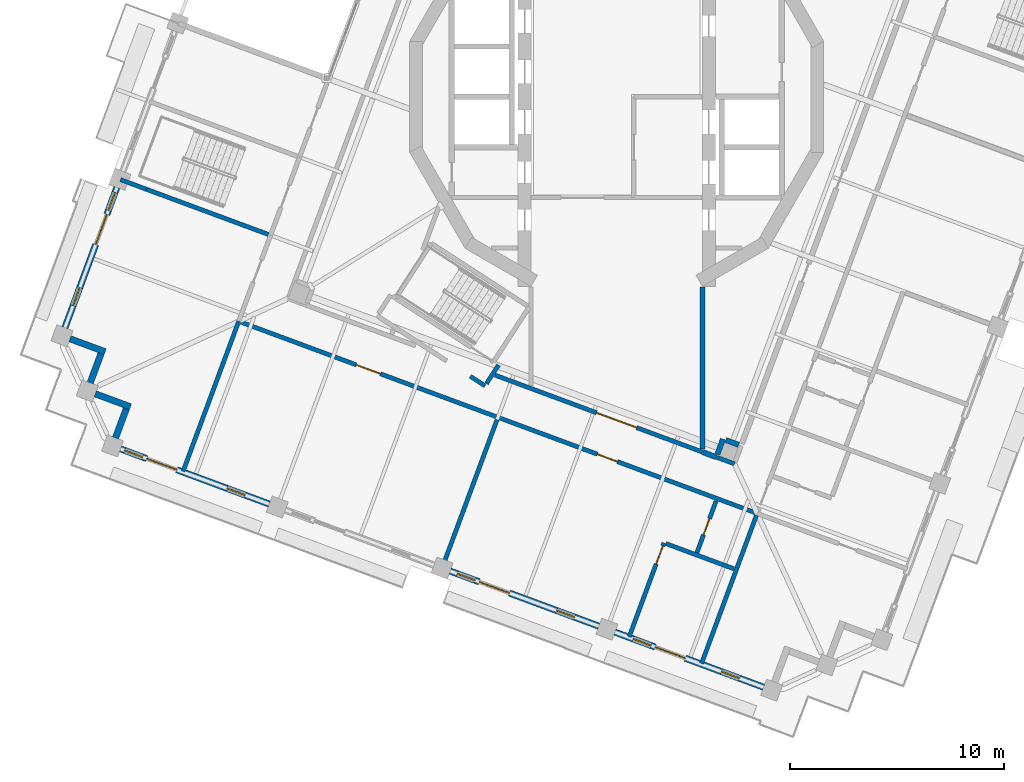
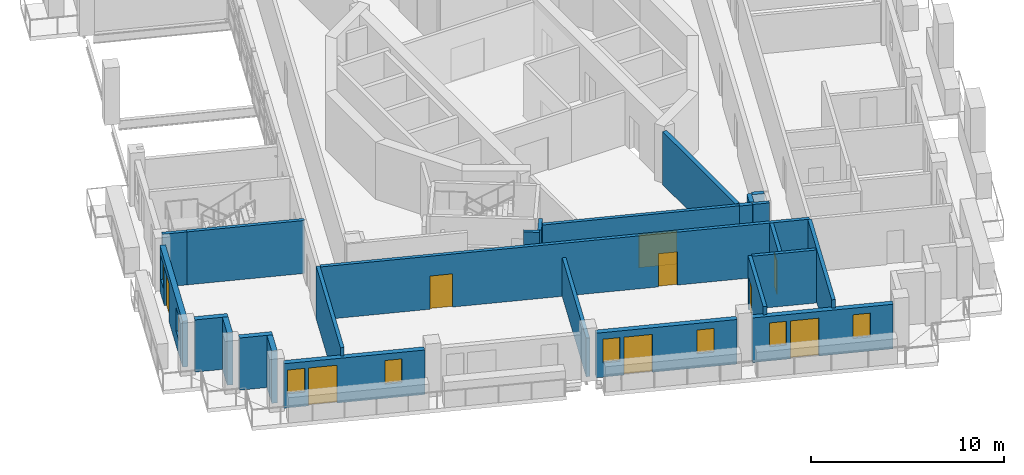
# One storey, part 7 of 20: 25 walls, 9 doors, 8 windows, 17 openings.
"""IFC4 building model written with IfcOpenShell, lengths in metres."""

from ifc_helpers import new_model, si_unit, direction, frame, frame_2d, origin, place, context, subcontext, project, spatial, rectangle, extrude, material, layer, layer_set, type_object, element, fill, save


model = new_model("IFC4")

# Units and contexts
model_context = context("Model", 3, precision=1e-05, world=origin(), true_north=direction((0.0, 1.0)))
body_context = subcontext(model_context, "Body", "Model", "MODEL_VIEW")
ifc_project = project(units=[si_unit("LENGTHUNIT", "METRE"), si_unit("AREAUNIT", "SQUARE_METRE"), si_unit("VOLUMEUNIT", "CUBIC_METRE"), si_unit("PLANEANGLEUNIT", "RADIAN"), si_unit("MASSUNIT", "GRAM", prefix="KILO")], contexts=[model_context])

# Site, building, storey
site_placement = place(None, origin())
site = spatial("IfcSite", under=ifc_project, at=site_placement, CompositionType="ELEMENT")
building_placement = place(site_placement, origin())
building = spatial("IfcBuilding", under=site, at=building_placement, Name="Cantera Rosa Tower", CompositionType="ELEMENT")
storey_placement = place(building_placement, frame((0.0, 0.0, 313.300048828125)))
storey = spatial("IfcBuildingStorey", under=building, at=storey_placement, Name="L69", CompositionType="ELEMENT", Elevation=313.300048828125)

# Wall, openings, doors
ifc_material_1 = material(Name="Gypsum board partition")
ifc_layer_1 = layer(ifc_material_1, 0.199951171875)
ifc_layer_set_1 = layer_set([ifc_layer_1], Name="CORRIDOR WALL 200 H3350")
wall_type_1 = type_object("IfcWallType", Name="CORRIDOR WALL 200 H3350", PredefinedType="PARTITIONING", material=ifc_layer_set_1)
wall_1_placement = place(storey_placement, frame((-17.52587890625, -10.515380859375, 0.0), z_axis=(0.0, 0.0, 1.0), x_axis=(0.937685670384, -0.347484652261, 0.0)))
wall_1 = element("IfcWall", 1, at=wall_1_placement, inside=storey, type_object=wall_type_1, Name="CORRIDOR WALL L69-004", PredefinedType="PARTITIONING", context=body_context, shape_type="SweptSolid", body=[
    extrude(rectangle(XDim=25.679931640625, YDim=0.199951171875, at=frame_2d((12.83984375, 0.0))), origin(), (0.0, 0.0, 1.0), 3.349853515625),
])
opening_1_placement = place(wall_1_placement, frame((5.72998046875, 0.0, 0.0)))
opening_1 = element("IfcOpeningElement", 2, at=opening_1_placement, cuts=wall_1, Name="Opening L69-027", PredefinedType="OPENING", context=body_context, shape_type="SweptSolid", body=[
    extrude(rectangle(XDim=1.199951171875, YDim=2.10009765625, at=frame_2d((0.60009765625, 1.050048828125))), frame((0.0, 0.10986328125, 0.0), z_axis=(0.0, -1.0, 0.0), x_axis=(1.0, 0.0, 0.0)), (0.0, 0.0, 1.0), 0.219970703125),
])
opening_2_placement = place(wall_1_placement, frame((17.72998046875, 0.0, 0.0)))
opening_2 = element("IfcOpeningElement", 3, at=opening_2_placement, cuts=wall_1, Name="Opening L69-028", PredefinedType="OPENING", context=body_context, shape_type="SweptSolid", body=[
    extrude(rectangle(XDim=1.0, YDim=2.10009765625, at=frame_2d((0.5, 1.050048828125))), frame((0.0, 0.10986328125, 0.0), z_axis=(0.0, -1.0, 0.0), x_axis=(1.0, 0.0, 0.0)), (0.0, 0.0, 1.0), 0.219970703125),
])
ifc_material_2 = material(Name="Timber door leaf", Category="wood")
door_type_1 = type_object("IfcDoorType", Name="ENTRANCE DOOR 1000x2100", OperationType="NOTDEFINED", PredefinedType="DOOR", material=ifc_material_2)
door_1_placement = place(opening_2_placement, origin())
door_1 = element("IfcDoor", 4, at=door_1_placement, inside=storey, type_object=door_type_1, Name="DOOR L69-028", OperationType="NOTDEFINED", OverallHeight=2.10009765625, OverallWidth=1.0, PredefinedType="DOOR", context=body_context, shape_type="SweptSolid", body=[
    extrude(rectangle(XDim=1.0, YDim=2.10009765625, at=frame_2d((0.5, 1.050048828125))), frame((0.0, 0.02490234375, 0.0), z_axis=(0.0, -1.0, 0.0), x_axis=(1.0, 0.0, 0.0)), (0.0, 0.0, 1.0), 0.050048828125),
])
fill(opening_2, door_1)
ifc_material_3 = material(Name="Timber door leaf", Category="wood")
door_type_2 = type_object("IfcDoorType", Name="ROOM DOOR 1200x2100", OperationType="NOTDEFINED", PredefinedType="DOOR", material=ifc_material_3)
door_2_placement = place(opening_1_placement, origin())
door_2 = element("IfcDoor", 5, at=door_2_placement, inside=storey, type_object=door_type_2, Name="DOOR L69-027", OperationType="NOTDEFINED", OverallHeight=2.10009765625, OverallWidth=1.199951171875, PredefinedType="DOOR", context=body_context, shape_type="SweptSolid", body=[
    extrude(rectangle(XDim=1.199951171875, YDim=2.10009765625, at=frame_2d((0.60009765625, 1.050048828125))), frame((0.0, 0.02490234375, 0.0), z_axis=(0.0, -1.0, 0.0), x_axis=(1.0, 0.0, 0.0)), (0.0, 0.0, 1.0), 0.050048828125),
])
fill(opening_1, door_2)

# Walls
wall_2_placement = place(storey_placement, frame((-6.83251953125, -13.038330078125, 0.0), z_axis=(0.0, 0.0, 1.0), x_axis=(0.838593374038, -0.54475788477, 0.0)))
element("IfcWall", 6, at=wall_2_placement, inside=storey, type_object=wall_type_1, Name="CORRIDOR WALL L69-012", PredefinedType="PARTITIONING", context=body_context, shape_type="SweptSolid", body=[
    extrude(rectangle(XDim=0.8193359375, YDim=0.199951171875, at=frame_2d((0.40966796875, 0.0))), origin(), (0.0, 0.0, 1.0), 3.349853515625),
])
wall_3_placement = place(storey_placement, frame((-6.080078125, -13.3837890625, 0.0), z_axis=(0.0, 0.0, 1.0), x_axis=(0.544566778899, 0.838717487191, 0.0)))
element("IfcWall", 7, at=wall_3_placement, inside=storey, type_object=wall_type_1, Name="CORRIDOR WALL L69-035", PredefinedType="PARTITIONING", context=body_context, shape_type="SweptSolid", body=[
    extrude(rectangle(XDim=1.038330078125, YDim=0.199951171875, at=frame_2d((0.51904296875, 0.0))), origin(), (0.0, 0.0, 1.0), 3.349853515625),
])

# Wall, opening, door
wall_4_placement = place(storey_placement, frame((-5.681396484375, -12.98486328125, 0.0), z_axis=(0.0, 0.0, 1.0), x_axis=(0.937687420186, -0.347479930391, 0.0)))
wall_4 = element("IfcWall", 8, at=wall_4_placement, inside=storey, type_object=wall_type_1, Name="CORRIDOR WALL L69-038", PredefinedType="PARTITIONING", context=body_context, shape_type="SweptSolid", body=[
    extrude(rectangle(XDim=10.32470703125, YDim=0.199951171875, at=frame_2d((5.162353515625, 0.0))), origin(), (0.0, 0.0, 1.0), 3.349853515625),
])
opening_3_placement = place(wall_4_placement, frame((5.05908203125, 0.0, 0.0)))
opening_3 = element("IfcOpeningElement", 9, at=opening_3_placement, cuts=wall_4, Name="Opening L69-011", PredefinedType="OPENING", context=body_context, shape_type="SweptSolid", body=[
    extrude(rectangle(XDim=2.0, YDim=2.10009765625, at=frame_2d((1.0, 1.050048828125))), frame((0.0, 0.10986328125, 0.0), z_axis=(0.0, -1.0, 0.0), x_axis=(1.0, 0.0, 0.0)), (0.0, 0.0, 1.0), 0.219970703125),
])
ifc_material_4 = material(Name="Steel S355J2 (EN 10025-2)", Category="steel")
door_type_3 = type_object("IfcDoorType", Name="LOBBY SCREEN DOOR 2000x2100", OperationType="NOTDEFINED", PredefinedType="DOOR", material=ifc_material_4)
door_3_placement = place(opening_3_placement, origin())
door_3 = element("IfcDoor", 10, at=door_3_placement, inside=storey, type_object=door_type_3, Name="DOOR L69-011", OperationType="NOTDEFINED", OverallHeight=2.10009765625, OverallWidth=2.0, PredefinedType="DOOR", context=body_context, shape_type="SweptSolid", body=[
    extrude(rectangle(XDim=2.0, YDim=2.10009765625, at=frame_2d((1.0, 1.050048828125))), frame((0.0, 0.02490234375, 0.0), z_axis=(0.0, -1.0, 0.0), x_axis=(1.0, 0.0, 0.0)), (0.0, 0.0, 1.0), 0.050048828125),
])
fill(opening_3, door_3)

# Walls
wall_5_placement = place(storey_placement, frame((4.666259765625, -16.819580078125, 0.0), z_axis=(0.0, 0.0, 1.0), x_axis=(0.937735373465, -0.347350499283, 0.0)))
element("IfcWall", 11, at=wall_5_placement, inside=storey, type_object=wall_type_1, Name="CORRIDOR WALL L69-072", PredefinedType="PARTITIONING", context=body_context, shape_type="SweptSolid", body=[
    extrude(rectangle(XDim=0.8798828125, YDim=0.199951171875, at=frame_2d((0.43994140625, 0.0))), origin(), (0.0, 0.0, 1.0), 3.349853515625),
])
ifc_material_5 = material(Name="Hollow clay masonry with cantera stone cladding", Category="masonry")
ifc_layer_2 = layer(ifc_material_5, 0.300048828125)
ifc_layer_set_2 = layer_set([ifc_layer_2], Name="EW-LOGGIA 300")
wall_type_2 = type_object("IfcWallType", Name="EW-LOGGIA 300", PredefinedType="SOLIDWALL", material=ifc_layer_set_2)
wall_6_placement = place(storey_placement, frame((-25.51220703125, -11.288330078125, 0.0), z_axis=(0.0, 0.0, 1.0), x_axis=(0.937669639538, -0.34752790836, 0.0)))
element("IfcWall", 12, at=wall_6_placement, inside=storey, type_object=wall_type_2, Name="EN-L69-W12a", PredefinedType="SOLIDWALL", context=body_context, shape_type="SweptSolid", body=[
    extrude(rectangle(XDim=1.75, YDim=0.300048828125, at=frame_2d((0.875, 0.0))), origin(), (0.0, 0.0, 1.0), 3.300048828125),
])
wall_7_placement = place(storey_placement, frame((-24.06396484375, -11.985107421875, 0.0), z_axis=(0.0, 0.0, 1.0), x_axis=(-0.347522732201, -0.937671557958, 0.0)))
element("IfcWall", 13, at=wall_7_placement, inside=storey, type_object=wall_type_2, Name="EN-L69-W12b", PredefinedType="SOLIDWALL", context=body_context, shape_type="SweptSolid", body=[
    extrude(rectangle(XDim=1.449951171875, YDim=0.300048828125, at=frame_2d((0.72509765625, 0.0))), origin(), (0.0, 0.0, 1.0), 3.300048828125),
])
wall_8_placement = place(storey_placement, frame((-24.331787109375, -13.858642578125, 0.0), z_axis=(0.0, 0.0, 1.0), x_axis=(0.937669639538, -0.34752790836, 0.0)))
element("IfcWall", 14, at=wall_8_placement, inside=storey, type_object=wall_type_2, Name="EN-L69-W13a", PredefinedType="SOLIDWALL", context=body_context, shape_type="SweptSolid", body=[
    extrude(rectangle(XDim=1.75, YDim=0.300048828125, at=frame_2d((0.875, 0.0))), origin(), (0.0, 0.0, 1.0), 3.300048828125),
])
wall_9_placement = place(storey_placement, frame((-22.883544921875, -14.555419921875, 0.0), z_axis=(0.0, 0.0, 1.0), x_axis=(-0.347522732201, -0.937671557958, 0.0)))
element("IfcWall", 15, at=wall_9_placement, inside=storey, type_object=wall_type_2, Name="EN-L69-W13b", PredefinedType="SOLIDWALL", context=body_context, shape_type="SweptSolid", body=[
    extrude(rectangle(XDim=1.449951171875, YDim=0.300048828125, at=frame_2d((0.72509765625, 0.0))), origin(), (0.0, 0.0, 1.0), 3.300048828125),
])

# Wall, openings, windows, door
ifc_material_6 = material(Name="Hollow clay masonry with cantera stone cladding", Category="masonry")
ifc_layer_3 = layer(ifc_material_6, 0.300048828125)
ifc_layer_set_3 = layer_set([ifc_layer_3], Name="EW-LOGGIA 300 H2820")
wall_type_3 = type_object("IfcWallType", Name="EW-LOGGIA 300 H2820", PredefinedType="SOLIDWALL", material=ifc_layer_set_3)
wall_10_placement = place(storey_placement, frame((-23.1513671875, -16.428955078125, 0.0), z_axis=(0.0, 0.0, 1.0), x_axis=(0.937676706507, -0.347508840281, 0.0)))
wall_10 = element("IfcWall", 16, at=wall_10_placement, inside=storey, type_object=wall_type_3, Name="EN-L69-W14", PredefinedType="SOLIDWALL", context=body_context, shape_type="SweptSolid", body=[
    extrude(rectangle(XDim=7.39990234375, YDim=0.300048828125, at=frame_2d((3.699951171875, 0.0))), origin(), (0.0, 0.0, 1.0), 2.820068359375),
])
opening_4_placement = place(wall_10_placement, frame((0.199951171875, 0.0, 0.89990234375)))
opening_4 = element("IfcOpeningElement", 17, at=opening_4_placement, cuts=wall_10, Name="Opening L69-W22", PredefinedType="OPENING", context=body_context, shape_type="SweptSolid", body=[
    extrude(rectangle(XDim=0.89990234375, YDim=1.5, at=frame_2d((0.449951171875, 0.75))), frame((0.0, 0.159912109375, 0.0), z_axis=(0.0, -1.0, 0.0), x_axis=(1.0, 0.0, 0.0)), (0.0, 0.0, 1.0), 0.320068359375),
])
opening_5_placement = place(wall_10_placement, frame((1.300048828125, 0.0, 0.0)))
opening_5 = element("IfcOpeningElement", 18, at=opening_5_placement, cuts=wall_10, Name="Opening L69-TD23", PredefinedType="OPENING", context=body_context, shape_type="SweptSolid", body=[
    extrude(rectangle(XDim=1.5, YDim=2.39990234375, at=frame_2d((0.75, 1.199951171875))), frame((0.0, 0.159912109375, 0.0), z_axis=(0.0, -1.0, 0.0), x_axis=(1.0, 0.0, 0.0)), (0.0, 0.0, 1.0), 0.320068359375),
])
opening_6_placement = place(wall_10_placement, frame((5.300048828125, 0.0, 0.89990234375)))
opening_6 = element("IfcOpeningElement", 19, at=opening_6_placement, cuts=wall_10, Name="Opening L69-W24", PredefinedType="OPENING", context=body_context, shape_type="SweptSolid", body=[
    extrude(rectangle(XDim=0.89990234375, YDim=1.5, at=frame_2d((0.449951171875, 0.75))), frame((0.0, 0.159912109375, 0.0), z_axis=(0.0, -1.0, 0.0), x_axis=(1.0, 0.0, 0.0)), (0.0, 0.0, 1.0), 0.320068359375),
])
ifc_material_7 = material(Name="Aluminium frame with clear glass", Category="aluminium")
window_type = type_object("IfcWindowType", Name="Residential window 900x1500", PartitioningType="SINGLE_PANEL", PredefinedType="WINDOW", material=ifc_material_7)
window_1_placement = place(opening_4_placement, origin())
window_1 = element("IfcWindow", 20, at=window_1_placement, inside=storey, type_object=window_type, Name="WINDOW L69-W22", OverallHeight=1.5, OverallWidth=0.89990234375, PartitioningType="SINGLE_PANEL", PredefinedType="WINDOW", context=body_context, shape_type="SweptSolid", body=[
    extrude(rectangle(XDim=0.89990234375, YDim=1.5, at=frame_2d((0.449951171875, 0.75))), frame((0.0, 0.030029296875, 0.0), z_axis=(0.0, -1.0, 0.0), x_axis=(1.0, 0.0, 0.0)), (0.0, 0.0, 1.0), 0.06005859375),
])
fill(opening_4, window_1)
window_2_placement = place(opening_6_placement, origin())
window_2 = element("IfcWindow", 21, at=window_2_placement, inside=storey, type_object=window_type, Name="WINDOW L69-W24", OverallHeight=1.5, OverallWidth=0.89990234375, PartitioningType="SINGLE_PANEL", PredefinedType="WINDOW", context=body_context, shape_type="SweptSolid", body=[
    extrude(rectangle(XDim=0.89990234375, YDim=1.5, at=frame_2d((0.449951171875, 0.75))), frame((0.0, 0.030029296875, 0.0), z_axis=(0.0, -1.0, 0.0), x_axis=(1.0, 0.0, 0.0)), (0.0, 0.0, 1.0), 0.06005859375),
])
fill(opening_6, window_2)
ifc_material_8 = material(Name="Aluminium frame with clear glass", Category="aluminium")
door_type_4 = type_object("IfcDoorType", Name="TD-R 1500x2400", OperationType="NOTDEFINED", PredefinedType="DOOR", material=ifc_material_8)
door_4_placement = place(opening_5_placement, origin())
door_4 = element("IfcDoor", 22, at=door_4_placement, inside=storey, type_object=door_type_4, Name="LOGGIA DOOR L69-TD23", OperationType="SLIDING_TO_LEFT", OverallHeight=2.39990234375, OverallWidth=1.5, PredefinedType="DOOR", context=body_context, shape_type="SweptSolid", body=[
    extrude(rectangle(XDim=1.5, YDim=2.39990234375, at=frame_2d((0.75, 1.199951171875))), frame((0.0, 0.02490234375, 0.0), z_axis=(0.0, -1.0, 0.0), x_axis=(1.0, 0.0, 0.0)), (0.0, 0.0, 1.0), 0.050048828125),
])
fill(opening_5, door_4)

wall_11_placement = place(storey_placement, frame((-7.7734375, -22.127685546875, 0.0), z_axis=(0.0, 0.0, 1.0), x_axis=(0.937680690562, -0.34749808999, 0.0)))
wall_11 = element("IfcWall", 23, at=wall_11_placement, inside=storey, type_object=wall_type_3, Name="EN-L69-W16", PredefinedType="SOLIDWALL", context=body_context, shape_type="SweptSolid", body=[
    extrude(rectangle(XDim=7.400146484375, YDim=0.300048828125, at=frame_2d((3.7001953125, 0.0))), origin(), (0.0, 0.0, 1.0), 2.820068359375),
])
opening_7_placement = place(wall_11_placement, frame((0.35009765625, 0.0, 0.89990234375)))
opening_7 = element("IfcOpeningElement", 24, at=opening_7_placement, cuts=wall_11, Name="Opening L69-W28", PredefinedType="OPENING", context=body_context, shape_type="SweptSolid", body=[
    extrude(rectangle(XDim=0.89990234375, YDim=1.5, at=frame_2d((0.449951171875, 0.75))), frame((0.0, 0.159912109375, 0.0), z_axis=(0.0, -1.0, 0.0), x_axis=(1.0, 0.0, 0.0)), (0.0, 0.0, 1.0), 0.320068359375),
])
opening_8_placement = place(wall_11_placement, frame((1.449951171875, 0.0, 0.0)))
opening_8 = element("IfcOpeningElement", 25, at=opening_8_placement, cuts=wall_11, Name="Opening L69-TD29", PredefinedType="OPENING", context=body_context, shape_type="SweptSolid", body=[
    extrude(rectangle(XDim=1.5, YDim=2.39990234375, at=frame_2d((0.75, 1.199951171875))), frame((0.0, 0.159912109375, 0.0), z_axis=(0.0, -1.0, 0.0), x_axis=(1.0, 0.0, 0.0)), (0.0, 0.0, 1.0), 0.320068359375),
])
opening_9_placement = place(wall_11_placement, frame((5.300048828125, 0.0, 0.89990234375)))
opening_9 = element("IfcOpeningElement", 26, at=opening_9_placement, cuts=wall_11, Name="Opening L69-W30", PredefinedType="OPENING", context=body_context, shape_type="SweptSolid", body=[
    extrude(rectangle(XDim=0.89990234375, YDim=1.5, at=frame_2d((0.449951171875, 0.75))), frame((0.0, 0.159912109375, 0.0), z_axis=(0.0, -1.0, 0.0), x_axis=(1.0, 0.0, 0.0)), (0.0, 0.0, 1.0), 0.320068359375),
])
window_3_placement = place(opening_7_placement, origin())
window_3 = element("IfcWindow", 27, at=window_3_placement, inside=storey, type_object=window_type, Name="WINDOW L69-W28", OverallHeight=1.5, OverallWidth=0.89990234375, PartitioningType="SINGLE_PANEL", PredefinedType="WINDOW", context=body_context, shape_type="SweptSolid", body=[
    extrude(rectangle(XDim=0.89990234375, YDim=1.5, at=frame_2d((0.449951171875, 0.75))), frame((0.0, 0.030029296875, 0.0), z_axis=(0.0, -1.0, 0.0), x_axis=(1.0, 0.0, 0.0)), (0.0, 0.0, 1.0), 0.06005859375),
])
fill(opening_7, window_3)
window_4_placement = place(opening_9_placement, origin())
window_4 = element("IfcWindow", 28, at=window_4_placement, inside=storey, type_object=window_type, Name="WINDOW L69-W30", OverallHeight=1.5, OverallWidth=0.89990234375, PartitioningType="SINGLE_PANEL", PredefinedType="WINDOW", context=body_context, shape_type="SweptSolid", body=[
    extrude(rectangle(XDim=0.89990234375, YDim=1.5, at=frame_2d((0.449951171875, 0.75))), frame((0.0, 0.030029296875, 0.0), z_axis=(0.0, -1.0, 0.0), x_axis=(1.0, 0.0, 0.0)), (0.0, 0.0, 1.0), 0.06005859375),
])
fill(opening_9, window_4)
door_5_placement = place(opening_8_placement, origin())
door_5 = element("IfcDoor", 29, at=door_5_placement, inside=storey, type_object=door_type_4, Name="LOGGIA DOOR L69-TD29", OperationType="SLIDING_TO_LEFT", OverallHeight=2.39990234375, OverallWidth=1.5, PredefinedType="DOOR", context=body_context, shape_type="SweptSolid", body=[
    extrude(rectangle(XDim=1.5, YDim=2.39990234375, at=frame_2d((0.75, 1.199951171875))), frame((0.0, 0.02490234375, 0.0), z_axis=(0.0, -1.0, 0.0), x_axis=(1.0, 0.0, 0.0)), (0.0, 0.0, 1.0), 0.050048828125),
])
fill(opening_8, door_5)

wall_12_placement = place(storey_placement, frame((-0.084228515625, -24.97705078125, 0.0), z_axis=(0.0, 0.0, 1.0), x_axis=(0.937687456783, -0.347479831633, 0.0)))
wall_12 = element("IfcWall", 30, at=wall_12_placement, inside=storey, type_object=wall_type_3, Name="EN-L69-W17", PredefinedType="SOLIDWALL", context=body_context, shape_type="SweptSolid", body=[
    extrude(rectangle(XDim=7.39990234375, YDim=0.300048828125, at=frame_2d((3.699951171875, 0.0))), origin(), (0.0, 0.0, 1.0), 2.820068359375),
])
opening_10_placement = place(wall_12_placement, frame((0.89990234375, 0.0, 0.89990234375)))
opening_10 = element("IfcOpeningElement", 31, at=opening_10_placement, cuts=wall_12, Name="Opening L69-W31", PredefinedType="OPENING", context=body_context, shape_type="SweptSolid", body=[
    extrude(rectangle(XDim=0.89990234375, YDim=1.5, at=frame_2d((0.449951171875, 0.75))), frame((0.0, 0.159912109375, 0.0), z_axis=(0.0, -1.0, 0.0), x_axis=(1.0, 0.0, 0.0)), (0.0, 0.0, 1.0), 0.320068359375),
])
opening_11_placement = place(wall_12_placement, frame((2.0, 0.0, 0.0)))
opening_11 = element("IfcOpeningElement", 32, at=opening_11_placement, cuts=wall_12, Name="Opening L69-TD32", PredefinedType="OPENING", context=body_context, shape_type="SweptSolid", body=[
    extrude(rectangle(XDim=1.5, YDim=2.39990234375, at=frame_2d((0.75, 1.199951171875))), frame((0.0, 0.159912109375, 0.0), z_axis=(0.0, -1.0, 0.0), x_axis=(1.0, 0.0, 0.0)), (0.0, 0.0, 1.0), 0.320068359375),
])
opening_12_placement = place(wall_12_placement, frame((5.300048828125, 0.0, 0.89990234375)))
opening_12 = element("IfcOpeningElement", 33, at=opening_12_placement, cuts=wall_12, Name="Opening L69-W33", PredefinedType="OPENING", context=body_context, shape_type="SweptSolid", body=[
    extrude(rectangle(XDim=0.89990234375, YDim=1.5, at=frame_2d((0.449951171875, 0.75))), frame((0.0, 0.159912109375, 0.0), z_axis=(0.0, -1.0, 0.0), x_axis=(1.0, 0.0, 0.0)), (0.0, 0.0, 1.0), 0.320068359375),
])
window_5_placement = place(opening_10_placement, origin())
window_5 = element("IfcWindow", 34, at=window_5_placement, inside=storey, type_object=window_type, Name="WINDOW L69-W31", OverallHeight=1.5, OverallWidth=0.89990234375, PartitioningType="SINGLE_PANEL", PredefinedType="WINDOW", context=body_context, shape_type="SweptSolid", body=[
    extrude(rectangle(XDim=0.89990234375, YDim=1.5, at=frame_2d((0.449951171875, 0.75))), frame((0.0, 0.030029296875, 0.0), z_axis=(0.0, -1.0, 0.0), x_axis=(1.0, 0.0, 0.0)), (0.0, 0.0, 1.0), 0.06005859375),
])
fill(opening_10, window_5)
window_6_placement = place(opening_12_placement, origin())
window_6 = element("IfcWindow", 35, at=window_6_placement, inside=storey, type_object=window_type, Name="WINDOW L69-W33", OverallHeight=1.5, OverallWidth=0.89990234375, PartitioningType="SINGLE_PANEL", PredefinedType="WINDOW", context=body_context, shape_type="SweptSolid", body=[
    extrude(rectangle(XDim=0.89990234375, YDim=1.5, at=frame_2d((0.449951171875, 0.75))), frame((0.0, 0.030029296875, 0.0), z_axis=(0.0, -1.0, 0.0), x_axis=(1.0, 0.0, 0.0)), (0.0, 0.0, 1.0), 0.06005859375),
])
fill(opening_12, window_6)
door_6_placement = place(opening_11_placement, origin())
door_6 = element("IfcDoor", 36, at=door_6_placement, inside=storey, type_object=door_type_4, Name="LOGGIA DOOR L69-TD32", OperationType="SLIDING_TO_LEFT", OverallHeight=2.39990234375, OverallWidth=1.5, PredefinedType="DOOR", context=body_context, shape_type="SweptSolid", body=[
    extrude(rectangle(XDim=1.5, YDim=2.39990234375, at=frame_2d((0.75, 1.199951171875))), frame((0.0, 0.02490234375, 0.0), z_axis=(0.0, -1.0, 0.0), x_axis=(1.0, 0.0, 0.0)), (0.0, 0.0, 1.0), 0.050048828125),
])
fill(opening_11, door_6)

ifc_material_9 = material(Name="Hollow clay masonry with cantera stone cladding", Category="masonry")
ifc_layer_4 = layer(ifc_material_9, 0.300048828125)
ifc_layer_set_4 = layer_set([ifc_layer_4], Name="EW-LOGGIA 300 H2890")
wall_type_4 = type_object("IfcWallType", Name="EW-LOGGIA 300 H2890", PredefinedType="SOLIDWALL", material=ifc_layer_set_4)
wall_13_placement = place(storey_placement, frame((-23.322998046875, -4.229248046875, 0.0), z_axis=(0.0, 0.0, 1.0), x_axis=(-0.347460165909, -0.937694744097, 0.0)))
wall_13 = element("IfcWall", 37, at=wall_13_placement, inside=storey, type_object=wall_type_4, Name="EN-L69-W11", PredefinedType="SOLIDWALL", context=body_context, shape_type="SweptSolid", body=[
    extrude(rectangle(XDim=6.97998046875, YDim=0.300048828125, at=frame_2d((3.489990234375, 0.0))), origin(), (0.0, 0.0, 1.0), 2.889892578125),
])
opening_13_placement = place(wall_13_placement, frame((0.2451171875, 0.0, 0.89990234375)))
opening_13 = element("IfcOpeningElement", 38, at=opening_13_placement, cuts=wall_13, Name="Opening L69-W19", PredefinedType="OPENING", context=body_context, shape_type="SweptSolid", body=[
    extrude(rectangle(XDim=0.89990234375, YDim=1.5, at=frame_2d((0.449951171875, 0.75))), frame((0.0, 0.159912109375, 0.0), z_axis=(0.0, -1.0, 0.0), x_axis=(1.0, 0.0, 0.0)), (0.0, 0.0, 1.0), 0.320068359375),
])
opening_14_placement = place(wall_13_placement, frame((1.344970703125, 0.0, 0.0)))
opening_14 = element("IfcOpeningElement", 39, at=opening_14_placement, cuts=wall_13, Name="Opening L69-TD20", PredefinedType="OPENING", context=body_context, shape_type="SweptSolid", body=[
    extrude(rectangle(XDim=1.5, YDim=2.39990234375, at=frame_2d((0.75, 1.199951171875))), frame((0.0, 0.159912109375, 0.0), z_axis=(0.0, -1.0, 0.0), x_axis=(1.0, 0.0, 0.0)), (0.0, 0.0, 1.0), 0.320068359375),
])
opening_15_placement = place(wall_13_placement, frame((4.985107421875, 0.0, 0.89990234375)))
opening_15 = element("IfcOpeningElement", 40, at=opening_15_placement, cuts=wall_13, Name="Opening L69-W21", PredefinedType="OPENING", context=body_context, shape_type="SweptSolid", body=[
    extrude(rectangle(XDim=0.89990234375, YDim=1.5, at=frame_2d((0.449951171875, 0.75))), frame((0.0, 0.159912109375, 0.0), z_axis=(0.0, -1.0, 0.0), x_axis=(1.0, 0.0, 0.0)), (0.0, 0.0, 1.0), 0.320068359375),
])
window_7_placement = place(opening_13_placement, origin())
window_7 = element("IfcWindow", 41, at=window_7_placement, inside=storey, type_object=window_type, Name="WINDOW L69-W19", OverallHeight=1.5, OverallWidth=0.89990234375, PartitioningType="SINGLE_PANEL", PredefinedType="WINDOW", context=body_context, shape_type="SweptSolid", body=[
    extrude(rectangle(XDim=0.89990234375, YDim=1.5, at=frame_2d((0.449951171875, 0.75))), frame((0.0, 0.030029296875, 0.0), z_axis=(0.0, -1.0, 0.0), x_axis=(1.0, 0.0, 0.0)), (0.0, 0.0, 1.0), 0.06005859375),
])
fill(opening_13, window_7)
window_8_placement = place(opening_15_placement, origin())
window_8 = element("IfcWindow", 42, at=window_8_placement, inside=storey, type_object=window_type, Name="WINDOW L69-W21", OverallHeight=1.5, OverallWidth=0.89990234375, PartitioningType="SINGLE_PANEL", PredefinedType="WINDOW", context=body_context, shape_type="SweptSolid", body=[
    extrude(rectangle(XDim=0.89990234375, YDim=1.5, at=frame_2d((0.449951171875, 0.75))), frame((0.0, 0.030029296875, 0.0), z_axis=(0.0, -1.0, 0.0), x_axis=(1.0, 0.0, 0.0)), (0.0, 0.0, 1.0), 0.06005859375),
])
fill(opening_15, window_8)
door_7_placement = place(opening_14_placement, origin())
door_7 = element("IfcDoor", 43, at=door_7_placement, inside=storey, type_object=door_type_4, Name="LOGGIA DOOR L69-TD20", OperationType="SLIDING_TO_LEFT", OverallHeight=2.39990234375, OverallWidth=1.5, PredefinedType="DOOR", context=body_context, shape_type="SweptSolid", body=[
    extrude(rectangle(XDim=1.5, YDim=2.39990234375, at=frame_2d((0.75, 1.199951171875))), frame((0.0, 0.02490234375, 0.0), z_axis=(0.0, -1.0, 0.0), x_axis=(1.0, 0.0, 0.0)), (0.0, 0.0, 1.0), 0.050048828125),
])
fill(opening_14, door_7)

# Wall
ifc_material_10 = material(Name="Gypsum board partition")
ifc_layer_5 = layer(ifc_material_10, 0.199951171875)
ifc_layer_set_5 = layer_set([ifc_layer_5], Name="PARTITION 200 H3350")
wall_type_5 = type_object("IfcWallType", Name="PARTITION 200 H3350", PredefinedType="PARTITIONING", material=ifc_layer_set_5)
wall_14_placement = place(storey_placement, frame((-17.638427734375, -10.4736328125, 0.0), z_axis=(0.0, 0.0, 1.0), x_axis=(-0.347488923611, -0.937684087509, 0.0)))
element("IfcWall", 44, at=wall_14_placement, inside=storey, type_object=wall_type_5, Name="PARTITION L69-003", PredefinedType="PARTITIONING", context=body_context, shape_type="SweptSolid", body=[
    extrude(rectangle(XDim=7.469970703125, YDim=0.199951171875, at=frame_2d((3.73486328125, 0.0))), origin(), (0.0, 0.0, 1.0), 3.349853515625),
])

# Wall, opening, door
wall_15_placement = place(storey_placement, frame((0.58251953125, -25.192138671875, 0.0), z_axis=(0.0, 0.0, 1.0), x_axis=(0.347453975961, 0.937697037741, 0.0)))
wall_15 = element("IfcWall", 45, at=wall_15_placement, inside=storey, type_object=wall_type_5, Name="PARTITION L69-056", PredefinedType="PARTITIONING", context=body_context, shape_type="SweptSolid", body=[
    extrude(rectangle(XDim=4.669921875, YDim=0.199951171875, at=frame_2d((2.3349609375, 0.0))), origin(), (0.0, 0.0, 1.0), 3.349853515625),
])
opening_16_placement = place(wall_15_placement, frame((3.6201171875, 0.0, 0.0)))
opening_16 = element("IfcOpeningElement", 46, at=opening_16_placement, cuts=wall_15, Name="Opening L69-030", PredefinedType="OPENING", context=body_context, shape_type="SweptSolid", body=[
    extrude(rectangle(XDim=0.89990234375, YDim=2.10009765625, at=frame_2d((0.449951171875, 1.050048828125))), frame((0.0, 0.10986328125, 0.0), z_axis=(0.0, -1.0, 0.0), x_axis=(1.0, 0.0, 0.0)), (0.0, 0.0, 1.0), 0.219970703125),
])
ifc_material_11 = material(Name="Timber door leaf", Category="wood")
door_type_5 = type_object("IfcDoorType", Name="ROOM DOOR 900x2100", OperationType="NOTDEFINED", PredefinedType="DOOR", material=ifc_material_11)
door_8_placement = place(opening_16_placement, origin())
door_8 = element("IfcDoor", 47, at=door_8_placement, inside=storey, type_object=door_type_5, Name="DOOR L69-030", OperationType="NOTDEFINED", OverallHeight=2.10009765625, OverallWidth=0.89990234375, PredefinedType="DOOR", context=body_context, shape_type="SweptSolid", body=[
    extrude(rectangle(XDim=0.89990234375, YDim=2.10009765625, at=frame_2d((0.449951171875, 1.050048828125))), frame((0.0, 0.02490234375, 0.0), z_axis=(0.0, -1.0, 0.0), x_axis=(1.0, 0.0, 0.0)), (0.0, 0.0, 1.0), 0.050048828125),
])
fill(opening_16, door_8)

# Wall
wall_16_placement = place(storey_placement, frame((2.299072265625, -20.847900390625, 0.0), z_axis=(0.0, 0.0, 1.0), x_axis=(0.937681654431, -0.347495489098, 0.0)))
element("IfcWall", 48, at=wall_16_placement, inside=storey, type_object=wall_type_5, Name="PARTITION L69-062", PredefinedType="PARTITIONING", context=body_context, shape_type="SweptSolid", body=[
    extrude(rectangle(XDim=3.380126953125, YDim=0.199951171875, at=frame_2d((1.68994140625, 0.0))), origin(), (0.0, 0.0, 1.0), 3.349853515625),
])

# Wall, opening, door
wall_17_placement = place(storey_placement, frame((3.740234375, -21.275390625, 0.0), z_axis=(0.0, 0.0, 1.0), x_axis=(0.34748078016, 0.937687105286, 0.0)))
wall_17 = element("IfcWall", 49, at=wall_17_placement, inside=storey, type_object=wall_type_5, Name="PARTITION L69-063", PredefinedType="PARTITIONING", context=body_context, shape_type="SweptSolid", body=[
    extrude(rectangle(XDim=2.579833984375, YDim=0.199951171875, at=frame_2d((1.2900390625, 0.0))), origin(), (0.0, 0.0, 1.0), 3.349853515625),
])
opening_17_placement = place(wall_17_placement, frame((0.89990234375, 0.0, 0.0)))
opening_17 = element("IfcOpeningElement", 50, at=opening_17_placement, cuts=wall_17, Name="Opening L69-029", PredefinedType="OPENING", context=body_context, shape_type="SweptSolid", body=[
    extrude(rectangle(XDim=0.800048828125, YDim=2.10009765625, at=frame_2d((0.39990234375, 1.050048828125))), frame((0.0, 0.10986328125, 0.0), z_axis=(0.0, -1.0, 0.0), x_axis=(1.0, 0.0, 0.0)), (0.0, 0.0, 1.0), 0.219970703125),
])
ifc_material_12 = material(Name="Timber door leaf", Category="wood")
door_type_6 = type_object("IfcDoorType", Name="BATHROOM DOOR 800x2100", OperationType="NOTDEFINED", PredefinedType="DOOR", material=ifc_material_12)
door_9_placement = place(opening_17_placement, origin())
door_9 = element("IfcDoor", 51, at=door_9_placement, inside=storey, type_object=door_type_6, Name="DOOR L69-029", OperationType="NOTDEFINED", OverallHeight=2.10009765625, OverallWidth=0.800048828125, PredefinedType="DOOR", context=body_context, shape_type="SweptSolid", body=[
    extrude(rectangle(XDim=0.800048828125, YDim=2.10009765625, at=frame_2d((0.39990234375, 1.050048828125))), frame((0.0, 0.02490234375, 0.0), z_axis=(0.0, -1.0, 0.0), x_axis=(1.0, 0.0, 0.0)), (0.0, 0.0, 1.0), 0.050048828125),
])
fill(opening_17, door_9)

# Walls
ifc_material_13 = material(Name="Gypsum board partition")
ifc_layer_6 = layer(ifc_material_13, 0.199951171875)
ifc_layer_set_6 = layer_set([ifc_layer_6], Name="PARTY WALL 200 H2450")
wall_type_6 = type_object("IfcWallType", Name="PARTY WALL 200 H2450", PredefinedType="PARTITIONING", material=ifc_layer_set_6)
wall_18_placement = place(storey_placement, frame((-5.583984375, -15.068603515625, 0.0), z_axis=(0.0, 0.0, 1.0), x_axis=(-0.347473379308, -0.937689847803, 0.0)))
element("IfcWall", 52, at=wall_18_placement, inside=storey, type_object=wall_type_6, Name="PARTY WALL L69-040", PredefinedType="PARTITIONING", context=body_context, shape_type="SweptSolid", body=[
    extrude(rectangle(XDim=7.35009765625, YDim=0.199951171875, at=frame_2d((3.675048828125, 0.0))), origin(), (0.0, 0.0, 1.0), 2.449951171875),
])
ifc_material_14 = material(Name="Gypsum board partition")
ifc_layer_7 = layer(ifc_material_14, 0.199951171875)
ifc_layer_set_7 = layer_set([ifc_layer_7], Name="PARTY WALL 200 H3350")
wall_type_7 = type_object("IfcWallType", Name="PARTY WALL 200 H3350", PredefinedType="PARTITIONING", material=ifc_layer_set_7)
wall_19_placement = place(storey_placement, frame((3.958251953125, -26.443115234375, 0.0), z_axis=(0.0, 0.0, 1.0), x_axis=(0.347468637221, 0.937691605032, 0.0)))
element("IfcWall", 53, at=wall_19_placement, inside=storey, type_object=wall_type_7, Name="PARTY WALL L69-064", PredefinedType="PARTITIONING", context=body_context, shape_type="SweptSolid", body=[
    extrude(rectangle(XDim=7.369873046875, YDim=0.199951171875, at=frame_2d((3.68505859375, 0.0))), origin(), (0.0, 0.0, 1.0), 3.349853515625),
])
ifc_material_15 = material(Name="Masonry blockwork", Category="masonry")
ifc_layer_8 = layer(ifc_material_15, 0.25)
ifc_layer_set_8 = layer_set([ifc_layer_8], Name="SHAFT WALL 250 H3350")
wall_type_8 = type_object("IfcWallType", Name="SHAFT WALL 250 H3350", PredefinedType="SOLIDWALL", material=ifc_layer_set_8)
wall_20_placement = place(storey_placement, frame((4.0, -16.4326171875, 0.0), z_axis=(0.0, 0.0, 1.0), x_axis=(0.0, 1.0, 0.0)))
element("IfcWall", 54, at=wall_20_placement, inside=storey, type_object=wall_type_8, Name="SHAFT WALL L69-066", PredefinedType="SOLIDWALL", context=body_context, shape_type="SweptSolid", body=[
    extrude(rectangle(XDim=7.5537109375, YDim=0.25, at=frame_2d((3.77685546875, 0.0))), origin(), (0.0, 0.0, 1.0), 3.349853515625),
])
wall_21_placement = place(storey_placement, frame((4.018798828125, -16.57958984375, 0.0), z_axis=(0.0, 0.0, 1.0), x_axis=(0.937713613764, -0.347409237876, 0.0)))
element("IfcWall", 55, at=wall_21_placement, inside=storey, type_object=wall_type_8, Name="SHAFT WALL L69-067", PredefinedType="SOLIDWALL", context=body_context, shape_type="SweptSolid", body=[
    extrude(rectangle(XDim=0.67041015625, YDim=0.25, at=frame_2d((0.335205078125, 0.0))), origin(), (0.0, 0.0, 1.0), 3.349853515625),
])
wall_22_placement = place(storey_placement, frame((4.960205078125, -15.96875, 0.0), z_axis=(0.0, 0.0, 1.0), x_axis=(-0.347282965849, -0.937760386043, 0.0)))
element("IfcWall", 56, at=wall_22_placement, inside=storey, type_object=wall_type_8, Name="SHAFT WALL L69-074", PredefinedType="SOLIDWALL", context=body_context, shape_type="SweptSolid", body=[
    extrude(rectangle(XDim=0.760009765625, YDim=0.25, at=frame_2d((0.3798828125, 0.0))), origin(), (0.0, 0.0, 1.0), 3.349853515625),
])
wall_23_placement = place(storey_placement, frame((5.691650390625, -16.23974609375, 0.0), z_axis=(0.0, 0.0, 1.0), x_axis=(-0.937670508839, 0.347525562877, 0.0)))
element("IfcWall", 57, at=wall_23_placement, inside=storey, type_object=wall_type_8, Name="SHAFT WALL L69-076", PredefinedType="SOLIDWALL", context=body_context, shape_type="SweptSolid", body=[
    extrude(rectangle(XDim=0.639892578125, YDim=0.25, at=frame_2d((0.31982421875, 0.0))), origin(), (0.0, 0.0, 1.0), 3.349853515625),
])
ifc_material_16 = material(Name="Concrete C50/60", Category="concrete")
ifc_layer_9 = layer(ifc_material_16, 0.199951171875)
ifc_layer_set_9 = layer_set([ifc_layer_9], Name="STAIR WALL 200 H3350")
wall_type_9 = type_object("IfcWallType", Name="STAIR WALL 200 H3350", PredefinedType="SOLIDWALL", material=ifc_layer_set_9)
wall_24_placement = place(storey_placement, frame((-23.15576171875, -3.864501953125, 0.0), z_axis=(0.0, 0.0, 1.0), x_axis=(0.937642248704, -0.347601802994, 0.0)))
element("IfcWall", 58, at=wall_24_placement, inside=storey, type_object=wall_type_9, Name="STAIR WALL L69-001", PredefinedType="SOLIDWALL", context=body_context, shape_type="SweptSolid", body=[
    extrude(rectangle(XDim=1.300048828125, YDim=0.199951171875, at=frame_2d((0.64990234375, 0.0))), origin(), (0.0, 0.0, 1.0), 3.349853515625),
])
wall_25_placement = place(storey_placement, frame((-21.936767578125, -4.31640625, 0.0), z_axis=(0.0, 0.0, 1.0), x_axis=(0.937692901762, -0.347465137797, 0.0)))
element("IfcWall", 59, at=wall_25_placement, inside=storey, type_object=wall_type_9, Name="STAIR WALL L69-001 J", PredefinedType="SOLIDWALL", context=body_context, shape_type="SweptSolid", body=[
    extrude(rectangle(XDim=6.169921875, YDim=0.199951171875, at=frame_2d((3.0849609375, 0.0))), origin(), (0.0, 0.0, 1.0), 3.349853515625),
])

save(model, "model.ifc")
